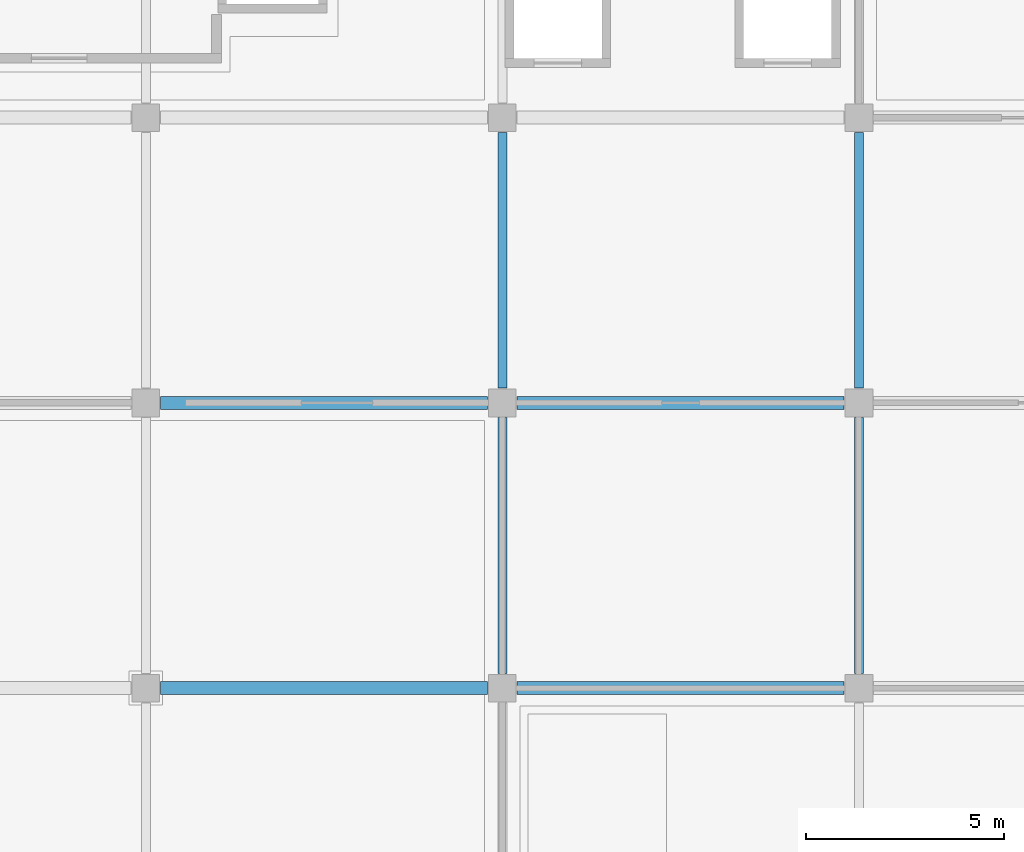
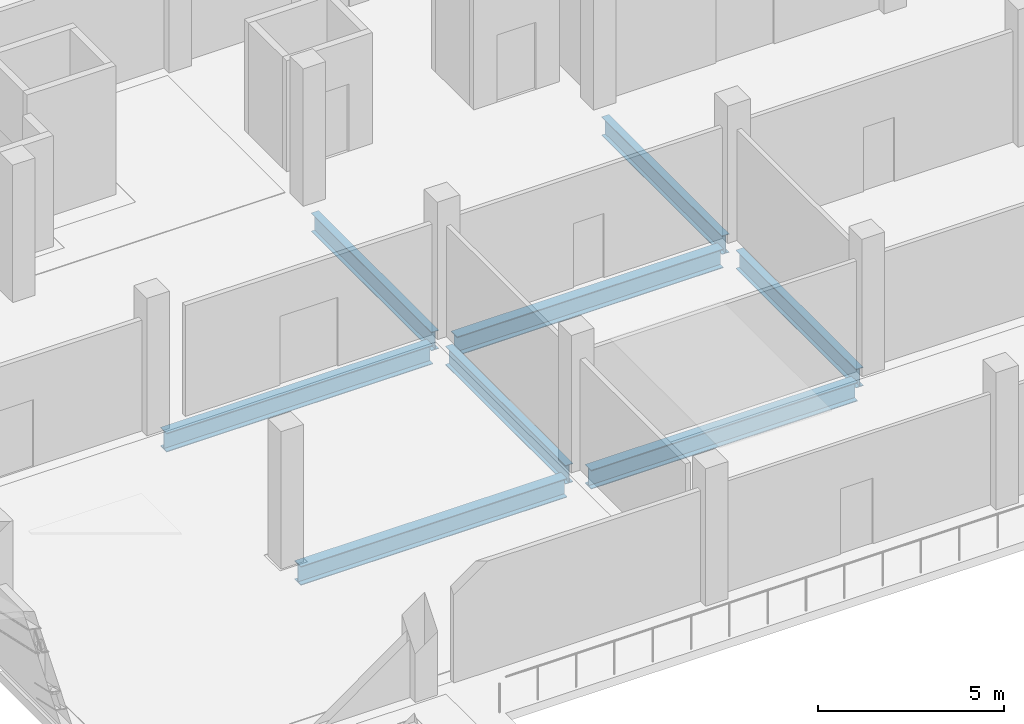
# One storey, part 68 of 151: 8 beams.
"""IFC4 building model written with IfcOpenShell, lengths in metres."""

from ifc_helpers import new_model, si_unit, direction, frame, origin, origin_2d, place, context, subcontext, project, spatial, i_section, extrude, material, material_profile, profile_set, type_object, element, save


model = new_model("IFC4")

# Units and contexts
model_context = context("Model", 3, precision=1e-05, world=origin(), true_north=direction((0.0, 1.0)))
body_context = subcontext(model_context, "Body", "Model", "MODEL_VIEW")
ifc_project = project(units=[si_unit("LENGTHUNIT", "METRE"), si_unit("AREAUNIT", "SQUARE_METRE"), si_unit("VOLUMEUNIT", "CUBIC_METRE"), si_unit("PLANEANGLEUNIT", "RADIAN"), si_unit("MASSUNIT", "GRAM", prefix="KILO")], contexts=[model_context])

# Site, building, storey
site_placement = place(None, origin())
site = spatial("IfcSite", under=ifc_project, at=site_placement, CompositionType="ELEMENT")
building_placement = place(site_placement, origin())
building = spatial("IfcBuilding", under=site, at=building_placement, Name="Celestram Park Convention Centre", CompositionType="ELEMENT")
storey_placement = place(building_placement, frame((0.0, 0.0, 10.800048828125)))
storey = spatial("IfcBuildingStorey", under=building, at=storey_placement, Name="L02", CompositionType="ELEMENT", Elevation=10.800048828125)

# Beams
ifc_material = material(Name="Steel ASTM A992 Grade 50", Category="steel")
ifc_material_profile_1 = material_profile(ifc_material, i_section(OverallWidth=0.327880859375, OverallDepth=0.6220703125, WebThickness=0.015380859375, FlangeThickness=0.0244140625, at=origin_2d()), Name="W24X131")
ifc_profile_set_1 = profile_set([ifc_material_profile_1], Name="Steel ASTM A992 Grade 50")
beam_type_1 = type_object("IfcBeamType", Name="STR-BM-W24X131", PredefinedType="BEAM", material=ifc_profile_set_1)
for number, where, z_axis, x_axis, name in (
    (1, (45.373046875, 129.60009765625, -0.591064453125), (1.0, 0.0, 0.0), (0.0, 1.0, 0.0), "Primary X-girder BG-L02-0029"),
    (2, (45.373046875, 136.800048828125, -0.591064453125), (1.0, 0.0, 0.0), (0.0, 1.0, 0.0), "Primary X-girder BG-L02-0031"),
    (3, (54.373046875, 129.60009765625, -0.591064453125), (1.0, 0.0, 0.0), (0.0, 1.0, 0.0), "Primary X-girder BG-L02-0043"),
    (4, (54.373046875, 136.800048828125, -0.591064453125), (1.0, 0.0, 0.0), (0.0, 1.0, 0.0), "Primary X-girder BG-L02-0045"),
):
    element("IfcBeam", number, at=place(storey_placement, frame(where, z_axis=z_axis, x_axis=x_axis)), inside=storey, type_object=beam_type_1, Name=name, PredefinedType="BEAM", context=body_context, shape_type="SweptSolid", body=[
        extrude(i_section(OverallWidth=0.327880859375, OverallDepth=0.6220703125, WebThickness=0.015380859375, FlangeThickness=0.0244140625, at=origin_2d()), origin(), (0.0, 0.0, 1.0), 8.25390625),
    ])
ifc_material_profile_2 = material_profile(ifc_material, i_section(OverallWidth=0.22900390625, OverallDepth=0.612060546875, WebThickness=0.011962890625, FlangeThickness=0.01953125, at=origin_2d()), Name="W24X84")
ifc_profile_set_2 = profile_set([ifc_material_profile_2], Name="Steel ASTM A992 Grade 50")
beam_type_2 = type_object("IfcBeamType", Name="STR-BM-W24X84", PredefinedType="BEAM", material=ifc_profile_set_2)
beam_1_placement = place(storey_placement, frame((54.0, 129.972900390625, -0.5859375), z_axis=(0.0, 1.0, 0.0), x_axis=(-1.0, 0.0, 0.0)))
element("IfcBeam", 5, at=beam_1_placement, inside=storey, type_object=beam_type_2, Name="Primary Y-girder BG-L02-0044", PredefinedType="BEAM", context=body_context, shape_type="SweptSolid", body=[
    extrude(i_section(OverallWidth=0.22900390625, OverallDepth=0.612060546875, WebThickness=0.011962890625, FlangeThickness=0.01953125, at=origin_2d()), origin(), (0.0, 0.0, 1.0), 6.4541015625),
])
beam_2_placement = place(storey_placement, frame((54.0, 137.173095703125, -0.5859375), z_axis=(0.0, 1.0, 0.0), x_axis=(-1.0, 0.0, 0.0)))
element("IfcBeam", 6, at=beam_2_placement, inside=storey, type_object=beam_type_2, Name="Primary Y-girder BG-L02-0046", PredefinedType="BEAM", context=body_context, shape_type="SweptSolid", body=[
    extrude(i_section(OverallWidth=0.22900390625, OverallDepth=0.612060546875, WebThickness=0.011962890625, FlangeThickness=0.01953125, at=origin_2d()), origin(), (0.0, 0.0, 1.0), 6.453857421875),
])
beam_3_placement = place(storey_placement, frame((63.0, 129.972900390625, -0.5859375), z_axis=(0.0, 1.0, 0.0), x_axis=(-1.0, 0.0, 0.0)))
element("IfcBeam", 7, at=beam_3_placement, inside=storey, type_object=beam_type_2, Name="Primary Y-girder BG-L02-0058", PredefinedType="BEAM", context=body_context, shape_type="SweptSolid", body=[
    extrude(i_section(OverallWidth=0.22900390625, OverallDepth=0.612060546875, WebThickness=0.011962890625, FlangeThickness=0.01953125, at=origin_2d()), origin(), (0.0, 0.0, 1.0), 6.4541015625),
])
beam_4_placement = place(storey_placement, frame((63.0, 137.173095703125, -0.5859375), z_axis=(0.0, 1.0, 0.0), x_axis=(-1.0, 0.0, 0.0)))
element("IfcBeam", 8, at=beam_4_placement, inside=storey, type_object=beam_type_2, Name="Primary Y-girder BG-L02-0060", PredefinedType="BEAM", context=body_context, shape_type="SweptSolid", body=[
    extrude(i_section(OverallWidth=0.22900390625, OverallDepth=0.612060546875, WebThickness=0.011962890625, FlangeThickness=0.01953125, at=origin_2d()), origin(), (0.0, 0.0, 1.0), 6.453857421875),
])

save(model, "model.ifc")
